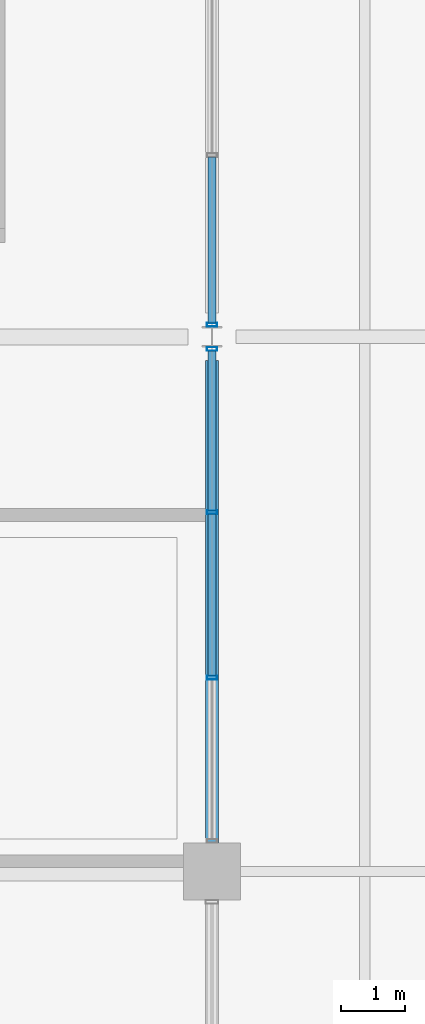
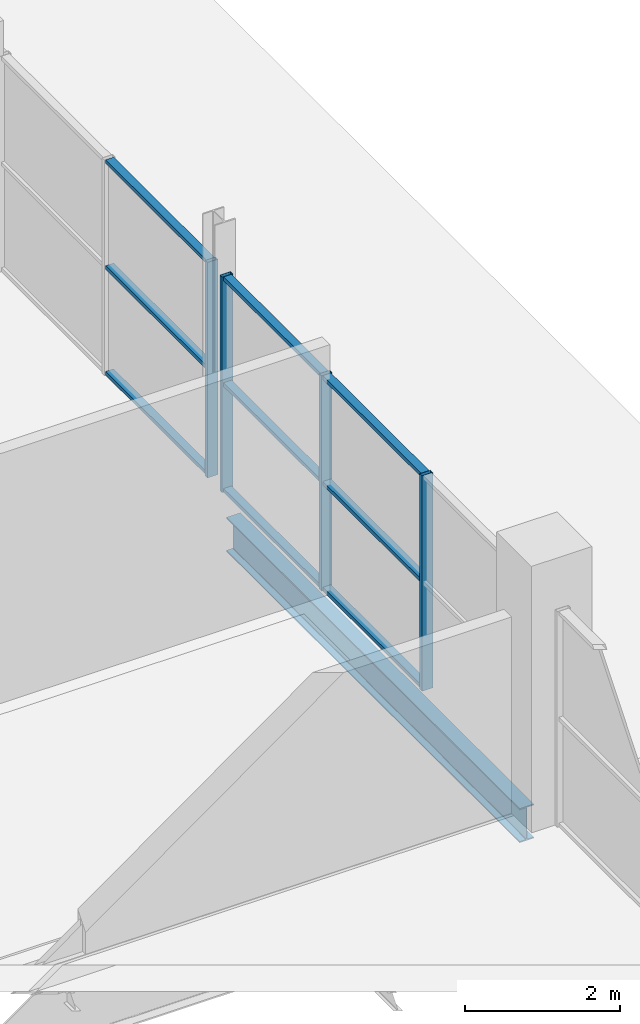
# One storey, part 83 of 161: 13 members, 1 beam, 2 elements without a shape of their own.
"""IFC4 building model written with IfcOpenShell, lengths in metres."""

from ifc_helpers import new_model, si_unit, direction, frame, origin, origin_2d, place, context, subcontext, project, spatial, hollow_rectangle, i_section, extrude, material, material_profile, profile_set, type_object, element, aggregate, save


model = new_model("IFC4")

# Units and contexts
model_context = context("Model", 3, precision=1e-05, world=origin(), true_north=direction((0.0, 1.0)))
body_context = subcontext(model_context, "Body", "Model", "MODEL_VIEW")
ifc_project = project(units=[si_unit("LENGTHUNIT", "METRE"), si_unit("AREAUNIT", "SQUARE_METRE"), si_unit("VOLUMEUNIT", "CUBIC_METRE"), si_unit("PLANEANGLEUNIT", "RADIAN"), si_unit("MASSUNIT", "GRAM", prefix="KILO"), si_unit("THERMODYNAMICTEMPERATUREUNIT", "KELVIN")], contexts=[model_context])

# Site, building, storey
site_placement = place(None, origin())
site = spatial("IfcSite", under=ifc_project, at=site_placement, CompositionType="ELEMENT")
building_placement = place(site_placement, origin())
building = spatial("IfcBuilding", under=site, at=building_placement, Name="Nduvali Passage Aquatics Centre", CompositionType="ELEMENT")
storey_placement = place(building_placement, frame((0.0, 0.0, 4.800048828125)))
storey = spatial("IfcBuildingStorey", under=building, at=storey_placement, Name="L01", CompositionType="ELEMENT", Elevation=4.800048828125)

# Curtain wall, members
ifc_material_1 = material(Name="Aluminium EN AW-6063 T6", Category="aluminium")
curtain_wall_type = type_object("IfcCurtainWallType", Name="ENV-CW-PASS", PredefinedType="NOTDEFINED", material=ifc_material_1)
curtain_wall_1_placement = place(storey_placement, origin())
curtain_wall_1 = element("IfcCurtainWall", 1, at=curtain_wall_1_placement, inside=storey, type_object=curtain_wall_type, Name="L01 East Passage Fitness CW 117", PredefinedType="NOTDEFINED")
ifc_material_profile_1 = material_profile(ifc_material_1, hollow_rectangle(XDim=0.06005859375, YDim=0.159912109375, WallThickness=0.00390625, at=origin_2d()), Name="ALU MULLION 60x160x4")
ifc_profile_set_1 = profile_set([ifc_material_profile_1], Name="Aluminium EN AW-6063 T6")
member_type_1 = type_object("IfcMemberType", Name="ENV-MEM-MUL60", PredefinedType="MULLION", material=ifc_profile_set_1)
member_1_placement = place(storey_placement, frame((126.0, 95.446533203125, 0.0), z_axis=(0.0, 0.0, 1.0), x_axis=(0.0, 1.0, 0.0)))
member_1 = element("IfcMember", 2, at=member_1_placement, type_object=member_type_1, Name="East Passage Fitness CW Mullion 2", PredefinedType="MULLION", context=body_context, shape_type="SweptSolid", body=[
    extrude(hollow_rectangle(XDim=0.06005859375, YDim=0.159912109375, WallThickness=0.00390625, at=origin_2d()), origin(), (0.0, 0.0, 1.0), 3.396484375),
])
member_2_placement = place(storey_placement, frame((126.0, 98.043212890625, 0.0), z_axis=(0.0, 0.0, 1.0), x_axis=(0.0, 1.0, 0.0)))
member_2 = element("IfcMember", 3, at=member_2_placement, type_object=member_type_1, Name="East Passage Fitness CW Mullion 3", PredefinedType="MULLION", context=body_context, shape_type="SweptSolid", body=[
    extrude(hollow_rectangle(XDim=0.06005859375, YDim=0.159912109375, WallThickness=0.00390625, at=origin_2d()), origin(), (0.0, 0.0, 1.0), 3.396484375),
])
member_3_placement = place(storey_placement, frame((126.0, 100.609619140625, 0.0), z_axis=(0.0, 0.0, 1.0), x_axis=(0.0, 1.0, 0.0)))
member_3 = element("IfcMember", 4, at=member_3_placement, type_object=member_type_1, Name="East Passage Fitness CW Mullion 4", PredefinedType="MULLION", context=body_context, shape_type="SweptSolid", body=[
    extrude(hollow_rectangle(XDim=0.06005859375, YDim=0.159912109375, WallThickness=0.00390625, at=origin_2d()), origin(), (0.0, 0.0, 1.0), 3.396484375),
])

# Curtain wall, member
curtain_wall_2_placement = place(storey_placement, origin())
curtain_wall_2 = element("IfcCurtainWall", 5, at=curtain_wall_2_placement, inside=storey, type_object=curtain_wall_type, Name="L01 East Passage Fitness CW 121", PredefinedType="NOTDEFINED")
member_4_placement = place(storey_placement, frame((126.0, 100.990234375, 0.0), z_axis=(0.0, 0.0, 1.0), x_axis=(0.0, 1.0, 0.0)))
member_4 = element("IfcMember", 6, at=member_4_placement, type_object=member_type_1, Name="East Passage Fitness CW Mullion 1", PredefinedType="MULLION", context=body_context, shape_type="SweptSolid", body=[
    extrude(hollow_rectangle(XDim=0.06005859375, YDim=0.159912109375, WallThickness=0.00390625, at=origin_2d()), origin(), (0.0, 0.0, 1.0), 3.396484375),
])

# Member
ifc_material_profile_2 = material_profile(ifc_material_1, hollow_rectangle(XDim=0.1201171875, YDim=0.06005859375, WallThickness=0.00390625, at=origin_2d()), Name="ALU TRANSOM 120x60x4")
ifc_profile_set_2 = profile_set([ifc_material_profile_2], Name="Aluminium EN AW-6063 T6")
member_type_2 = type_object("IfcMemberType", Name="ENV-MEM-TRN60", PredefinedType="USERDEFINED", material=ifc_profile_set_2)
member_5_placement = place(storey_placement, frame((126.0, 95.4765625, 0.030029296875), z_axis=(0.0, 1.0, 0.0), x_axis=(-1.0, 0.0, 0.0)))
member_5 = element("IfcMember", 7, at=member_5_placement, type_object=member_type_2, Name="East Passage Fitness CW Transom B2-R0", ObjectType="TRANSOM", PredefinedType="USERDEFINED", context=body_context, shape_type="SweptSolid", body=[
    extrude(hollow_rectangle(XDim=0.1201171875, YDim=0.06005859375, WallThickness=0.00390625, at=origin_2d()), origin(), (0.0, 0.0, 1.0), 2.53662109375),
])

member_6_placement = place(storey_placement, frame((126.0, 95.4765625, 1.6982421875), z_axis=(0.0, 1.0, 0.0), x_axis=(-1.0, 0.0, 0.0)))
member_6 = element("IfcMember", 8, at=member_6_placement, type_object=member_type_2, Name="East Passage Fitness CW Transom B2-R1", ObjectType="TRANSOM", PredefinedType="USERDEFINED", context=body_context, shape_type="SweptSolid", body=[
    extrude(hollow_rectangle(XDim=0.1201171875, YDim=0.06005859375, WallThickness=0.00390625, at=origin_2d()), origin(), (0.0, 0.0, 1.0), 2.53662109375),
])

member_7_placement = place(storey_placement, frame((126.0, 95.4765625, 3.366455078125), z_axis=(0.0, 1.0, 0.0), x_axis=(-1.0, 0.0, 0.0)))
member_7 = element("IfcMember", 9, at=member_7_placement, type_object=member_type_2, Name="East Passage Fitness CW Transom B2-R2", ObjectType="TRANSOM", PredefinedType="USERDEFINED", context=body_context, shape_type="SweptSolid", body=[
    extrude(hollow_rectangle(XDim=0.1201171875, YDim=0.06005859375, WallThickness=0.00390625, at=origin_2d()), origin(), (0.0, 0.0, 1.0), 2.53662109375),
])

member_8_placement = place(storey_placement, frame((126.0, 98.072998046875, 0.030029296875), z_axis=(0.0, 1.0, 0.0), x_axis=(-1.0, 0.0, 0.0)))
member_8 = element("IfcMember", 10, at=member_8_placement, type_object=member_type_2, Name="East Passage Fitness CW Transom B3-R0", ObjectType="TRANSOM", PredefinedType="USERDEFINED", context=body_context, shape_type="SweptSolid", body=[
    extrude(hollow_rectangle(XDim=0.1201171875, YDim=0.06005859375, WallThickness=0.00390625, at=origin_2d()), origin(), (0.0, 0.0, 1.0), 2.506591796875),
])

member_9_placement = place(storey_placement, frame((126.0, 98.072998046875, 1.6982421875), z_axis=(0.0, 1.0, 0.0), x_axis=(-1.0, 0.0, 0.0)))
member_9 = element("IfcMember", 11, at=member_9_placement, type_object=member_type_2, Name="East Passage Fitness CW Transom B3-R1", ObjectType="TRANSOM", PredefinedType="USERDEFINED", context=body_context, shape_type="SweptSolid", body=[
    extrude(hollow_rectangle(XDim=0.1201171875, YDim=0.06005859375, WallThickness=0.00390625, at=origin_2d()), origin(), (0.0, 0.0, 1.0), 2.506591796875),
])

member_10_placement = place(storey_placement, frame((126.0, 98.072998046875, 3.366455078125), z_axis=(0.0, 1.0, 0.0), x_axis=(-1.0, 0.0, 0.0)))
member_10 = element("IfcMember", 12, at=member_10_placement, type_object=member_type_2, Name="East Passage Fitness CW Transom B3-R2", ObjectType="TRANSOM", PredefinedType="USERDEFINED", context=body_context, shape_type="SweptSolid", body=[
    extrude(hollow_rectangle(XDim=0.1201171875, YDim=0.06005859375, WallThickness=0.00390625, at=origin_2d()), origin(), (0.0, 0.0, 1.0), 2.506591796875),
])

aggregate(curtain_wall_1, [member_1, member_2, member_3, member_5, member_6, member_7, member_8, member_9, member_10])

member_11_placement = place(storey_placement, frame((126.0, 101.020263671875, 0.030029296875), z_axis=(0.0, 1.0, 0.0), x_axis=(-1.0, 0.0, 0.0)))
member_11 = element("IfcMember", 13, at=member_11_placement, type_object=member_type_2, Name="East Passage Fitness CW Transom B1-R0", ObjectType="TRANSOM", PredefinedType="USERDEFINED", context=body_context, shape_type="SweptSolid", body=[
    extrude(hollow_rectangle(XDim=0.1201171875, YDim=0.06005859375, WallThickness=0.00390625, at=origin_2d()), origin(), (0.0, 0.0, 1.0), 2.60302734375),
])

member_12_placement = place(storey_placement, frame((126.0, 101.020263671875, 1.6982421875), z_axis=(0.0, 1.0, 0.0), x_axis=(-1.0, 0.0, 0.0)))
member_12 = element("IfcMember", 14, at=member_12_placement, type_object=member_type_2, Name="East Passage Fitness CW Transom B1-R1", ObjectType="TRANSOM", PredefinedType="USERDEFINED", context=body_context, shape_type="SweptSolid", body=[
    extrude(hollow_rectangle(XDim=0.1201171875, YDim=0.06005859375, WallThickness=0.00390625, at=origin_2d()), origin(), (0.0, 0.0, 1.0), 2.60302734375),
])

member_13_placement = place(storey_placement, frame((126.0, 101.020263671875, 3.366455078125), z_axis=(0.0, 1.0, 0.0), x_axis=(-1.0, 0.0, 0.0)))
member_13 = element("IfcMember", 15, at=member_13_placement, type_object=member_type_2, Name="East Passage Fitness CW Transom B1-R2", ObjectType="TRANSOM", PredefinedType="USERDEFINED", context=body_context, shape_type="SweptSolid", body=[
    extrude(hollow_rectangle(XDim=0.1201171875, YDim=0.06005859375, WallThickness=0.00390625, at=origin_2d()), origin(), (0.0, 0.0, 1.0), 2.60302734375),
])

aggregate(curtain_wall_2, [member_4, member_11, member_12, member_13])

# Beam
ifc_material_2 = material(Name="Steel S355", Category="steel")
ifc_material_profile_3 = material_profile(ifc_material_2, i_section(OverallWidth=0.210693359375, OverallDepth=0.53955078125, WebThickness=0.01171875, FlangeThickness=0.018798828125, FilletRadius=0.0126953125, at=origin_2d()), Name="UKB 533x210x109")
ifc_profile_set_3 = profile_set([ifc_material_profile_3], Name="Steel S355")
beam_type = type_object("IfcBeamType", Name="STR-BM-UKB533-EXT", PredefinedType="BEAM", material=ifc_profile_set_3)
beam_placement = place(storey_placement, frame((126.0, 92.85009765625, -0.553955078125), z_axis=(0.0, 1.0, 0.0), x_axis=(-1.0, 0.0, 0.0)))
element("IfcBeam", 16, at=beam_placement, inside=storey, type_object=beam_type, Name="L01 Primary Y-Girder B6E-0633", PredefinedType="BEAM", context=body_context, shape_type="SweptSolid", body=[
    extrude(i_section(OverallWidth=0.210693359375, OverallDepth=0.53955078125, WebThickness=0.01171875, FlangeThickness=0.018798828125, FilletRadius=0.0126953125, at=origin_2d()), origin(), (0.0, 0.0, 1.0), 7.574951171875),
])

save(model, "model.ifc")
